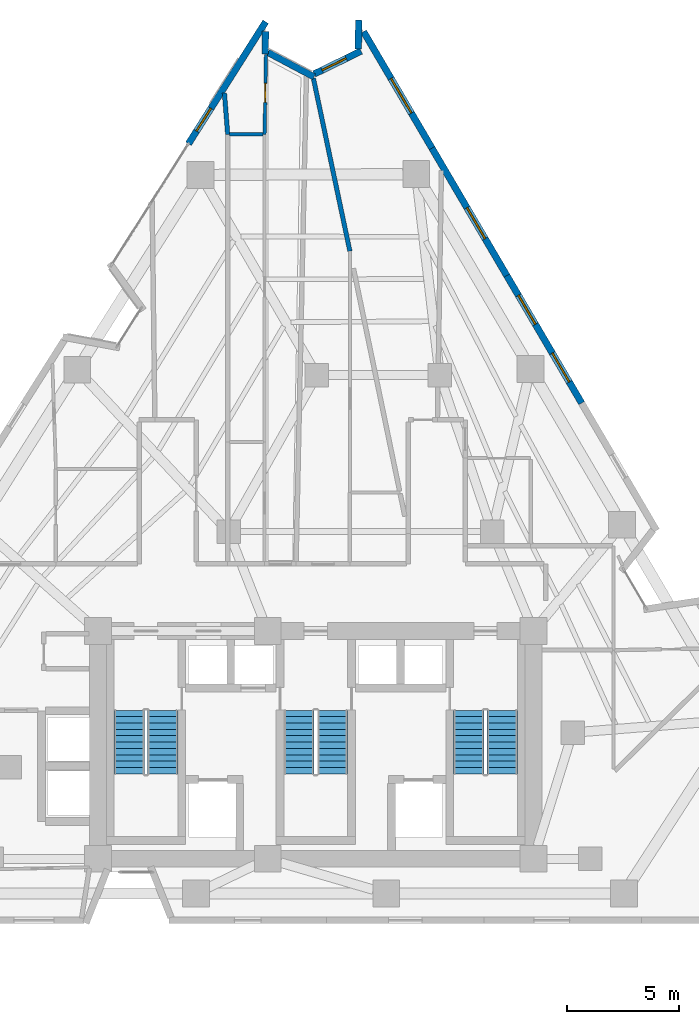
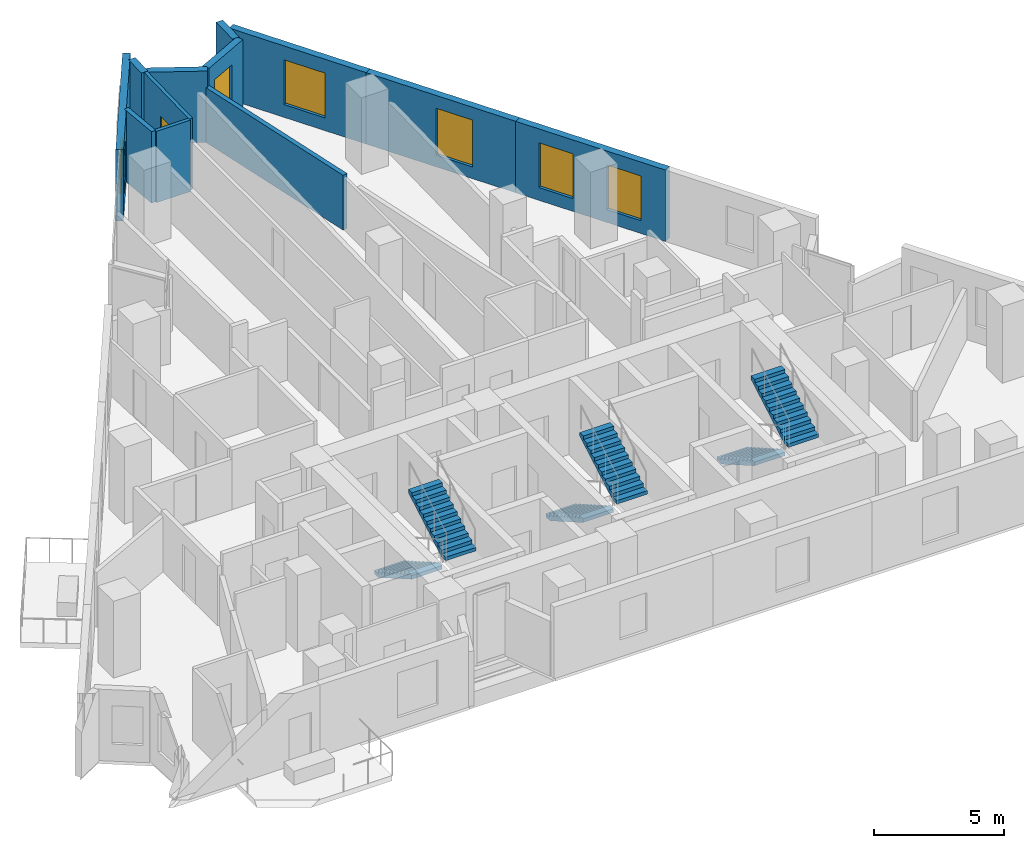
# One storey, part 10 of 12: 12 walls, 6 stair flights, 6 windows, 1 door, 7 openings, 3 elements without a shape of their own.
"""IFC4 building model written with IfcOpenShell, lengths in metres."""

from ifc_helpers import new_model, si_unit, direction, frame, frame_2d, origin, place, context, subcontext, project, spatial, polyline, rectangle, outline, extrude, material, layer, layer_set, type_object, element, fill, aggregate, save


model = new_model("IFC4")

# Units and contexts
model_context = context("Model", 3, precision=1e-05, world=origin(), true_north=direction((0.0, 1.0)))
body_context = subcontext(model_context, "Body", "Model", "MODEL_VIEW")
ifc_project = project(units=[si_unit("LENGTHUNIT", "METRE"), si_unit("AREAUNIT", "SQUARE_METRE"), si_unit("VOLUMEUNIT", "CUBIC_METRE"), si_unit("PLANEANGLEUNIT", "RADIAN"), si_unit("MASSUNIT", "GRAM", prefix="KILO")], contexts=[model_context])

# Site, building, storey
site_placement = place(None, origin())
site = spatial("IfcSite", under=ifc_project, at=site_placement, CompositionType="ELEMENT")
building_placement = place(site_placement, origin())
building = spatial("IfcBuilding", under=site, at=building_placement, Name="Almagre Mirador Tower", CompositionType="ELEMENT")
storey_placement = place(building_placement, frame((0.0, 0.0, 121.199951171875)))
storey = spatial("IfcBuildingStorey", under=building, at=storey_placement, Name="L30", CompositionType="ELEMENT", Elevation=121.199951171875)

# Wall, opening, window
ifc_material_1 = material(Name="Precast concrete C50/60", Category="concrete")
ifc_layer_1 = layer(ifc_material_1, 0.300048828125)
ifc_layer_set_1 = layer_set([ifc_layer_1], Name="Precast concrete C50/60")
wall_type_1 = type_object("IfcWallType", Name="WAL-EXT-300", PredefinedType="SOLIDWALL", material=ifc_layer_set_1)
wall_1_placement = place(storey_placement, frame((31.6044921875, 36.56005859375, 0.0), z_axis=(0.0, 0.0, 1.0), x_axis=(0.53489387979, 0.844919249019, 0.0)))
wall_1 = element("IfcWall", 1, at=wall_1_placement, inside=storey, type_object=wall_type_1, Name="L30 expressed almagre precast frame wall 03", PredefinedType="SOLIDWALL", context=body_context, shape_type="SweptSolid", body=[
    extrude(rectangle(XDim=6.462158203125, YDim=0.300048828125, at=frame_2d((3.23095703125, 0.0))), origin(), (0.0, 0.0, 1.0), 3.35009765625),
])
opening_1_placement = place(wall_1_placement, frame((0.675048828125, 0.0, 0.800048828125)))
opening_1 = element("IfcOpeningElement", 2, at=opening_1_placement, cuts=wall_1, Name="Opening WN-04", PredefinedType="OPENING", context=body_context, shape_type="SweptSolid", body=[
    extrude(rectangle(XDim=1.199951171875, YDim=1.800048828125, at=frame_2d((0.60009765625, 0.89990234375))), frame((0.0, 0.159902, 0.0), z_axis=(0.0, -1.0, 0.0), x_axis=(1.0, 0.0, 0.0)), (0.0, 0.0, 1.0), 0.320049),
])
ifc_material_2 = material(Name="Dark solar-control laminated hurricane glass", Category="glass")
window_type_1 = type_object("IfcWindowType", Name="WIN-1200X1800", PartitioningType="SINGLE_PANEL", PredefinedType="WINDOW", material=ifc_material_2)
window_1_placement = place(opening_1_placement, origin())
window_1 = element("IfcWindow", 3, at=window_1_placement, inside=storey, type_object=window_type_1, Name="L30 recessed hurricane window L30-RST-J", OverallHeight=1.800048828125, OverallWidth=1.199951171875, PartitioningType="SINGLE_PANEL", PredefinedType="WINDOW", context=body_context, shape_type="SweptSolid", body=[
    extrude(rectangle(XDim=1.199951171875, YDim=1.800048828125, at=frame_2d((0.60009765625, 0.89990234375))), frame((0.0, 0.030029296875, 0.0), z_axis=(0.0, -1.0, 0.0), x_axis=(1.0, 0.0, 0.0)), (0.0, 0.0, 1.0), 0.06005859375),
])
fill(opening_1, window_1)

# Walls
wall_2_placement = place(storey_placement, frame((35.0537109375, 41.59521484375, 0.0), z_axis=(0.0, 0.0, 1.0), x_axis=(-0.016748069368, -0.99985974125, 0.0)))
element("IfcWall", 4, at=wall_2_placement, inside=storey, type_object=wall_type_1, Name="L30 expressed almagre precast frame wall 04", PredefinedType="SOLIDWALL", context=body_context, shape_type="SweptSolid", body=[
    extrude(rectangle(XDim=1.0205078125, YDim=0.300048828125, at=frame_2d((0.51025390625, 0.0))), origin(), (0.0, 0.0, 1.0), 3.35009765625),
])
wall_3_placement = place(storey_placement, frame((35.16259765625, 40.6494140625, 0.0), z_axis=(0.0, 0.0, 1.0), x_axis=(0.883579385988, -0.468281399008, 0.0)))
element("IfcWall", 5, at=wall_3_placement, inside=storey, type_object=wall_type_1, Name="L30 expressed almagre precast frame wall 05", PredefinedType="SOLIDWALL", context=body_context, shape_type="SweptSolid", body=[
    extrude(rectangle(XDim=2.336181640625, YDim=0.300048828125, at=frame_2d((1.16796875, 0.0))), origin(), (0.0, 0.0, 1.0), 3.35009765625),
])

# Wall, opening, window
wall_4_placement = place(storey_placement, frame((37.235107421875, 39.685546875, 0.0), z_axis=(0.0, 0.0, 1.0), x_axis=(0.898742269497, 0.438477289058, 0.0)))
wall_4 = element("IfcWall", 6, at=wall_4_placement, inside=storey, type_object=wall_type_1, Name="L30 expressed almagre precast frame wall 06", PredefinedType="SOLIDWALL", context=body_context, shape_type="SweptSolid", body=[
    extrude(rectangle(XDim=2.330810546875, YDim=0.300048828125, at=frame_2d((1.16552734375, 0.0))), origin(), (0.0, 0.0, 1.0), 3.35009765625),
])
opening_2_placement = place(wall_4_placement, frame((0.387939453125, 0.0, 0.800048828125)))
opening_2 = element("IfcOpeningElement", 7, at=opening_2_placement, cuts=wall_4, Name="Opening WN-04", PredefinedType="OPENING", context=body_context, shape_type="SweptSolid", body=[
    extrude(rectangle(XDim=1.199951171875, YDim=1.800048828125, at=frame_2d((0.60009765625, 0.89990234375))), frame((0.0, 0.159902, 0.0), z_axis=(0.0, -1.0, 0.0), x_axis=(1.0, 0.0, 0.0)), (0.0, 0.0, 1.0), 0.320049),
])
window_2_placement = place(opening_2_placement, origin())
window_2 = element("IfcWindow", 8, at=window_2_placement, inside=storey, type_object=window_type_1, Name="L30 recessed hurricane window L30-RST-L", OverallHeight=1.800048828125, OverallWidth=1.199951171875, PartitioningType="SINGLE_PANEL", PredefinedType="WINDOW", context=body_context, shape_type="SweptSolid", body=[
    extrude(rectangle(XDim=1.199951171875, YDim=1.800048828125, at=frame_2d((0.60009765625, 0.89990234375))), frame((0.0, 0.030029296875, 0.0), z_axis=(0.0, -1.0, 0.0), x_axis=(1.0, 0.0, 0.0)), (0.0, 0.0, 1.0), 0.06005859375),
])
fill(opening_2, window_2)

# Wall
wall_5_placement = place(storey_placement, frame((39.206298828125, 40.7958984375, 0.0), z_axis=(0.0, 0.0, 1.0), x_axis=(0.016208991858, 0.999868625662, 0.0)))
element("IfcWall", 9, at=wall_5_placement, inside=storey, type_object=wall_type_1, Name="L30 expressed almagre precast frame wall 07", PredefinedType="SOLIDWALL", context=body_context, shape_type="SweptSolid", body=[
    extrude(rectangle(XDim=1.29541015625, YDim=0.300048828125, at=frame_2d((0.647705078125, 0.0))), origin(), (0.0, 0.0, 1.0), 3.35009765625),
])

# Wall, opening, window
wall_6_placement = place(storey_placement, frame((39.442626953125, 41.580078125, 0.0), z_axis=(0.0, 0.0, 1.0), x_axis=(0.506351339064, -0.862327270489, 0.0)))
wall_6 = element("IfcWall", 10, at=wall_6_placement, inside=storey, type_object=wall_type_1, Name="L30 expressed almagre precast frame wall 08", PredefinedType="SOLIDWALL", context=body_context, shape_type="SweptSolid", body=[
    extrude(rectangle(XDim=6.047607421875, YDim=0.300048828125, at=frame_2d((3.02392578125, 0.0))), origin(), (0.0, 0.0, 1.0), 3.35009765625),
])
opening_3_placement = place(wall_6_placement, frame((2.429931640625, 0.0, 0.60009765625)))
opening_3 = element("IfcOpeningElement", 11, at=opening_3_placement, cuts=wall_6, Name="Opening WN-01", PredefinedType="OPENING", context=body_context, shape_type="SweptSolid", body=[
    extrude(rectangle(XDim=1.800048828125, YDim=2.10009765625, at=frame_2d((0.89990234375, 1.050048828125))), frame((0.0, 0.159902, 0.0), z_axis=(0.0, -1.0, 0.0), x_axis=(1.0, 0.0, 0.0)), (0.0, 0.0, 1.0), 0.320049),
])
ifc_material_3 = material(Name="Dark solar-control laminated hurricane glass", Category="glass")
window_type_2 = type_object("IfcWindowType", Name="WIN-1800X2100", PartitioningType="DOUBLE_PANEL_VERTICAL", PredefinedType="WINDOW", material=ifc_material_3)
window_3_placement = place(opening_3_placement, origin())
window_3 = element("IfcWindow", 12, at=window_3_placement, inside=storey, type_object=window_type_2, Name="L30 recessed hurricane window L30-RST-L", OverallHeight=2.10009765625, OverallWidth=1.800048828125, PartitioningType="SINGLE_PANEL", PredefinedType="WINDOW", context=body_context, shape_type="SweptSolid", body=[
    extrude(rectangle(XDim=1.800048828125, YDim=2.10009765625, at=frame_2d((0.89990234375, 1.050048828125))), frame((0.0, 0.030029296875, 0.0), z_axis=(0.0, -1.0, 0.0), x_axis=(1.0, 0.0, 0.0)), (0.0, 0.0, 1.0), 0.06005859375),
])
fill(opening_3, window_3)

wall_7_placement = place(storey_placement, frame((42.5048828125, 36.364990234375, 0.0), z_axis=(0.0, 0.0, 1.0), x_axis=(0.506323446146, -0.862343648369, 0.0)))
wall_7 = element("IfcWall", 13, at=wall_7_placement, inside=storey, type_object=wall_type_1, Name="L30 expressed almagre precast frame wall 09", PredefinedType="SOLIDWALL", context=body_context, shape_type="SweptSolid", body=[
    extrude(rectangle(XDim=6.617431640625, YDim=0.300048828125, at=frame_2d((3.30859375, 0.0))), origin(), (0.0, 0.0, 1.0), 3.35009765625),
])
opening_4_placement = place(wall_7_placement, frame((3.10009765625, 0.0, 0.550048828125)))
opening_4 = element("IfcOpeningElement", 14, at=opening_4_placement, cuts=wall_7, Name="Opening WN-06", PredefinedType="OPENING", context=body_context, shape_type="SweptSolid", body=[
    extrude(rectangle(XDim=1.60009765625, YDim=2.199951171875, at=frame_2d((0.800048828125, 1.10009765625))), frame((0.0, 0.159902, 0.0), z_axis=(0.0, -1.0, 0.0), x_axis=(1.0, 0.0, 0.0)), (0.0, 0.0, 1.0), 0.320049),
])
ifc_material_4 = material(Name="Dark solar-control laminated hurricane glass", Category="glass")
window_type_3 = type_object("IfcWindowType", Name="WIN-1600X2200", PartitioningType="DOUBLE_PANEL_VERTICAL", PredefinedType="WINDOW", material=ifc_material_4)
window_4_placement = place(opening_4_placement, origin())
window_4 = element("IfcWindow", 15, at=window_4_placement, inside=storey, type_object=window_type_3, Name="L30 recessed hurricane window L30-UH-ST", OverallHeight=2.199951171875, OverallWidth=1.60009765625, PartitioningType="SINGLE_PANEL", PredefinedType="WINDOW", context=body_context, shape_type="SweptSolid", body=[
    extrude(rectangle(XDim=1.60009765625, YDim=2.199951171875, at=frame_2d((0.800048828125, 1.10009765625))), frame((0.0, 0.030029296875, 0.0), z_axis=(0.0, -1.0, 0.0), x_axis=(1.0, 0.0, 0.0)), (0.0, 0.0, 1.0), 0.06005859375),
])
fill(opening_4, window_4)

# Wall, openings, windows
wall_8_placement = place(storey_placement, frame((45.85546875, 30.658447265625, 0.0), z_axis=(0.0, 0.0, 1.0), x_axis=(0.506350880573, -0.86232753971, 0.0)))
wall_8 = element("IfcWall", 16, at=wall_8_placement, inside=storey, type_object=wall_type_1, Name="L30 expressed almagre precast frame wall 10", PredefinedType="SOLIDWALL", context=body_context, shape_type="SweptSolid", body=[
    extrude(rectangle(XDim=6.61767578125, YDim=0.300048828125, at=frame_2d((3.308837890625, 0.0))), origin(), (0.0, 0.0, 1.0), 3.35009765625),
])
opening_5_placement = place(wall_8_placement, frame((1.02490234375, 0.0, 0.60009765625)))
opening_5 = element("IfcOpeningElement", 17, at=opening_5_placement, cuts=wall_8, Name="Opening WN-03", PredefinedType="OPENING", context=body_context, shape_type="SweptSolid", body=[
    extrude(rectangle(XDim=1.5, YDim=2.10009765625, at=frame_2d((0.75, 1.050048828125))), frame((0.0, 0.159902, 0.0), z_axis=(0.0, -1.0, 0.0), x_axis=(1.0, 0.0, 0.0)), (0.0, 0.0, 1.0), 0.320049),
])
opening_6_placement = place(wall_8_placement, frame((4.02490234375, 0.0, 0.60009765625)))
opening_6 = element("IfcOpeningElement", 18, at=opening_6_placement, cuts=wall_8, Name="Opening WN-03", PredefinedType="OPENING", context=body_context, shape_type="SweptSolid", body=[
    extrude(rectangle(XDim=1.5, YDim=2.10009765625, at=frame_2d((0.75, 1.050048828125))), frame((0.0, 0.159902, 0.0), z_axis=(0.0, -1.0, 0.0), x_axis=(1.0, 0.0, 0.0)), (0.0, 0.0, 1.0), 0.320049),
])
ifc_material_5 = material(Name="Dark solar-control laminated hurricane glass", Category="glass")
window_type_4 = type_object("IfcWindowType", Name="WIN-1500X2100", PartitioningType="DOUBLE_PANEL_VERTICAL", PredefinedType="WINDOW", material=ifc_material_5)
window_5_placement = place(opening_5_placement, origin())
window_5 = element("IfcWindow", 19, at=window_5_placement, inside=storey, type_object=window_type_4, Name="L30 recessed hurricane window L30-UH-ST", OverallHeight=2.10009765625, OverallWidth=1.5, PartitioningType="SINGLE_PANEL", PredefinedType="WINDOW", context=body_context, shape_type="SweptSolid", body=[
    extrude(rectangle(XDim=1.5, YDim=2.10009765625, at=frame_2d((0.75, 1.050048828125))), frame((0.0, 0.030029296875, 0.0), z_axis=(0.0, -1.0, 0.0), x_axis=(1.0, 0.0, 0.0)), (0.0, 0.0, 1.0), 0.06005859375),
])
fill(opening_5, window_5)
window_6_placement = place(opening_6_placement, origin())
window_6 = element("IfcWindow", 20, at=window_6_placement, inside=storey, type_object=window_type_4, Name="L30 recessed hurricane window L30-UH-KT", OverallHeight=2.10009765625, OverallWidth=1.5, PartitioningType="SINGLE_PANEL", PredefinedType="WINDOW", context=body_context, shape_type="SweptSolid", body=[
    extrude(rectangle(XDim=1.5, YDim=2.10009765625, at=frame_2d((0.75, 1.050048828125))), frame((0.0, 0.030029296875, 0.0), z_axis=(0.0, -1.0, 0.0), x_axis=(1.0, 0.0, 0.0)), (0.0, 0.0, 1.0), 0.06005859375),
])
fill(opening_6, window_6)

# Wall, opening, door
ifc_material_6 = material(Name="Gypsum acoustic stud partition", Category="other")
ifc_layer_2 = layer(ifc_material_6, 0.14990234375)
ifc_layer_set_2 = layer_set([ifc_layer_2], Name="Gypsum acoustic stud partition")
wall_type_2 = type_object("IfcWallType", Name="WAL-PRT-150-STD", PredefinedType="PARTITIONING", material=ifc_layer_set_2)
wall_9_placement = place(storey_placement, frame((35.073486328125, 40.560302734375, 0.0), z_axis=(0.0, 0.0, 1.0), x_axis=(-0.017726501673, -0.999842873225, 0.0)))
wall_9 = element("IfcWall", 21, at=wall_9_placement, inside=storey, type_object=wall_type_2, Name="L30 interior partition 071", PredefinedType="PARTITIONING", context=body_context, shape_type="SweptSolid", body=[
    extrude(rectangle(XDim=3.580810546875, YDim=0.14990234375, at=frame_2d((1.79052734375, 0.0))), origin(), (0.0, 0.0, 1.0), 3.35009765625),
])
opening_7_placement = place(wall_9_placement, frame((1.298095703125, 0.0, 0.0)))
opening_7 = element("IfcOpeningElement", 22, at=opening_7_placement, cuts=wall_9, Name="Opening UD-04", PredefinedType="OPENING", context=body_context, shape_type="SweptSolid", body=[
    extrude(rectangle(XDim=0.85009765625, YDim=2.10009765625, at=frame_2d((0.425048828125, 1.050048828125))), frame((0.0, 0.084951, 0.0), z_axis=(0.0, -1.0, 0.0), x_axis=(1.0, 0.0, 0.0)), (0.0, 0.0, 1.0), 0.169902),
])
ifc_material_7 = material(Name="Moisture-resistant oak timber", Category="wood")
door_type = type_object("IfcDoorType", Name="DOR-UNR-850X2100", OperationType="NOTDEFINED", PredefinedType="DOOR", material=ifc_material_7)
door_placement = place(opening_7_placement, origin())
door = element("IfcDoor", 23, at=door_placement, inside=storey, type_object=door_type, Name="DR-1005 L30 interior door L30-UK-LV to L30-UK-HB", OperationType="SINGLE_SWING_LEFT", OverallHeight=2.10009765625, OverallWidth=0.85009765625, PredefinedType="DOOR", context=body_context, shape_type="SweptSolid", body=[
    extrude(rectangle(XDim=0.85009765625, YDim=2.10009765625, at=frame_2d((0.425048828125, 1.050048828125))), frame((0.0, 0.02490234375, 0.0), z_axis=(0.0, -1.0, 0.0), x_axis=(1.0, 0.0, 0.0)), (0.0, 0.0, 1.0), 0.050048828125),
])
fill(opening_7, door)

# Walls
wall_10_placement = place(storey_placement, frame((33.445068359375, 36.97998046875, 0.0), z_axis=(0.0, 0.0, 1.0), x_axis=(1.0, 0.0, 0.0)))
element("IfcWall", 24, at=wall_10_placement, inside=storey, type_object=wall_type_2, Name="L30 interior partition 074", PredefinedType="PARTITIONING", context=body_context, shape_type="SweptSolid", body=[
    extrude(rectangle(XDim=1.5048828125, YDim=0.14990234375, at=frame_2d((0.75244140625, 0.0))), origin(), (0.0, 0.0, 1.0), 3.35009765625),
])
ifc_material_8 = material(Name="Gypsum acoustic stud partition", Category="other")
ifc_layer_3 = layer(ifc_material_8, 0.199951171875)
ifc_layer_set_3 = layer_set([ifc_layer_3], Name="Gypsum acoustic stud partition")
wall_type_3 = type_object("IfcWallType", Name="WAL-PRT-200-EI60", PredefinedType="PARTITIONING", material=ifc_layer_set_3)
wall_11_placement = place(storey_placement, frame((38.830078125, 31.75, 0.0), z_axis=(0.0, 0.0, 1.0), x_axis=(-0.206462862954, 0.978454437478, 0.0)))
element("IfcWall", 25, at=wall_11_placement, inside=storey, type_object=wall_type_3, Name="L30 interior partition 060", PredefinedType="PARTITIONING", context=body_context, shape_type="SweptSolid", body=[
    extrude(rectangle(XDim=7.914306640625, YDim=0.199951171875, at=frame_2d((3.95703125, 0.0))), origin(), (0.0, 0.0, 1.0), 2.570068359375),
])
wall_12_placement = place(storey_placement, frame((33.360107421875, 36.97998046875, 0.0), z_axis=(0.0, 0.0, 1.0), x_axis=(-0.07862683496, 0.99690411817, 0.0)))
element("IfcWall", 26, at=wall_12_placement, inside=storey, type_object=wall_type_3, Name="L30 interior partition 068", PredefinedType="PARTITIONING", context=body_context, shape_type="SweptSolid", body=[
    extrude(rectangle(XDim=1.85693359375, YDim=0.199951171875, at=frame_2d((0.928466796875, 0.0))), origin(), (0.0, 0.0, 1.0), 3.35009765625),
])

# Stair, stair flights
ifc_material_9 = material(Name="Concrete C45/55", Category="concrete")
stair_type = type_object("IfcStairType", Name="STR-DL-3600", PredefinedType="HALF_TURN_STAIR", material=ifc_material_9)
stair_1_placement = place(storey_placement, origin())
stair_1 = element("IfcStair", 27, at=stair_1_placement, inside=storey, type_object=stair_type, Name="L30 Protected exit stair ST-1", PredefinedType="HALF_TURN_STAIR")
ifc_material_10 = material(Name="Concrete C45/55", Category="concrete")
stair_flight_type = type_object("IfcStairFlightType", Name="FLT-DL-3600", PredefinedType="STRAIGHT", material=ifc_material_10)
stair_flight_1_placement = place(storey_placement, frame((28.949951171875, 11.199951171875, 0.0), z_axis=(0.0, 0.0, 1.0), x_axis=(0.0, -1.0, 0.0)))
stair_flight_1 = element("IfcStairFlight", 28, at=stair_flight_1_placement, type_object=stair_flight_type, Name="ST-1 flight 1", NumberOfRisers=11, NumberOfTreads=10, PredefinedType="STRAIGHT", RiserHeight=0.163636364, TreadLength=0.285, context=body_context, shape_type="SweptSolid", body=[
    extrude(outline(polyline([(0.0, 0.0), (0.0, 0.16357421875), (0.284912109375, 0.16357421875), (0.284912109375, 0.327392578125), (0.570068359375, 0.327392578125), (0.570068359375, 0.490966796875), (0.85498046875, 0.490966796875), (0.85498046875, 0.654541015625), (1.139892578125, 0.654541015625), (1.139892578125, 0.818115234375), (1.425048828125, 0.818115234375), (1.425048828125, 0.98193359375), (1.7099609375, 0.98193359375), (1.7099609375, 1.1455078125), (1.9951171875, 1.1455078125), (1.9951171875, 1.30908203125), (2.280029296875, 1.30908203125), (2.280029296875, 1.47265625), (2.56494140625, 1.47265625), (2.56494140625, 1.636474609375), (2.85009765625, 1.636474609375), (2.85009765625, 1.800048828125), (2.85009765625, 1.463623046875), (0.301025390625, 0.0), (0.0, 0.0)])), frame((0.0, 0.675048828125, 0.0), z_axis=(0.0, -1.0, 0.0), x_axis=(1.0, 0.0, 0.0)), (0.0, 0.0, 1.0), 1.35009765625),
])
stair_flight_2_placement = place(storey_placement, frame((30.449951171875, 8.35009765625, 1.800048828125), z_axis=(0.0, 0.0, 1.0), x_axis=(0.0, 1.0, 0.0)))
stair_flight_2 = element("IfcStairFlight", 29, at=stair_flight_2_placement, type_object=stair_flight_type, Name="ST-1 flight 2", NumberOfRisers=11, NumberOfTreads=10, PredefinedType="STRAIGHT", RiserHeight=0.163636364, TreadLength=0.285, context=body_context, shape_type="SweptSolid", body=[
    extrude(outline(polyline([(0.0, 0.0), (0.0, 0.16357421875), (0.284912109375, 0.16357421875), (0.284912109375, 0.327392578125), (0.570068359375, 0.327392578125), (0.570068359375, 0.490966796875), (0.85498046875, 0.490966796875), (0.85498046875, 0.654541015625), (1.139892578125, 0.654541015625), (1.139892578125, 0.818115234375), (1.425048828125, 0.818115234375), (1.425048828125, 0.98193359375), (1.7099609375, 0.98193359375), (1.7099609375, 1.1455078125), (1.9951171875, 1.1455078125), (1.9951171875, 1.30908203125), (2.280029296875, 1.30908203125), (2.280029296875, 1.47265625), (2.56494140625, 1.47265625), (2.56494140625, 1.636474609375), (2.85009765625, 1.636474609375), (2.85009765625, 1.800048828125), (2.85009765625, 1.463623046875), (0.301025390625, 0.0), (0.0, 0.0)])), frame((0.0, 0.675048828125, 0.0), z_axis=(0.0, -1.0, 0.0), x_axis=(1.0, 0.0, 0.0)), (0.0, 0.0, 1.0), 1.35009765625),
])
aggregate(stair_1, [stair_flight_1, stair_flight_2])

stair_2_placement = place(storey_placement, origin())
stair_2 = element("IfcStair", 30, at=stair_2_placement, inside=storey, type_object=stair_type, Name="L30 Protected exit stair ST-2", PredefinedType="HALF_TURN_STAIR")
stair_flight_3_placement = place(storey_placement, frame((36.550048828125, 11.199951171875, 0.0), z_axis=(0.0, 0.0, 1.0), x_axis=(0.0, -1.0, 0.0)))
stair_flight_3 = element("IfcStairFlight", 31, at=stair_flight_3_placement, type_object=stair_flight_type, Name="ST-2 flight 1", NumberOfRisers=11, NumberOfTreads=10, PredefinedType="STRAIGHT", RiserHeight=0.163636364, TreadLength=0.285, context=body_context, shape_type="SweptSolid", body=[
    extrude(outline(polyline([(0.0, 0.0), (0.0, 0.16357421875), (0.284912109375, 0.16357421875), (0.284912109375, 0.327392578125), (0.570068359375, 0.327392578125), (0.570068359375, 0.490966796875), (0.85498046875, 0.490966796875), (0.85498046875, 0.654541015625), (1.139892578125, 0.654541015625), (1.139892578125, 0.818115234375), (1.425048828125, 0.818115234375), (1.425048828125, 0.98193359375), (1.7099609375, 0.98193359375), (1.7099609375, 1.1455078125), (1.9951171875, 1.1455078125), (1.9951171875, 1.30908203125), (2.280029296875, 1.30908203125), (2.280029296875, 1.47265625), (2.56494140625, 1.47265625), (2.56494140625, 1.636474609375), (2.85009765625, 1.636474609375), (2.85009765625, 1.800048828125), (2.85009765625, 1.463623046875), (0.301025390625, 0.0), (0.0, 0.0)])), frame((0.0, 0.675048828125, 0.0), z_axis=(0.0, -1.0, 0.0), x_axis=(1.0, 0.0, 0.0)), (0.0, 0.0, 1.0), 1.35009765625),
])
stair_flight_4_placement = place(storey_placement, frame((38.050048828125, 8.35009765625, 1.800048828125), z_axis=(0.0, 0.0, 1.0), x_axis=(0.0, 1.0, 0.0)))
stair_flight_4 = element("IfcStairFlight", 32, at=stair_flight_4_placement, type_object=stair_flight_type, Name="ST-2 flight 2", NumberOfRisers=11, NumberOfTreads=10, PredefinedType="STRAIGHT", RiserHeight=0.163636364, TreadLength=0.285, context=body_context, shape_type="SweptSolid", body=[
    extrude(outline(polyline([(0.0, 0.0), (0.0, 0.16357421875), (0.284912109375, 0.16357421875), (0.284912109375, 0.327392578125), (0.570068359375, 0.327392578125), (0.570068359375, 0.490966796875), (0.85498046875, 0.490966796875), (0.85498046875, 0.654541015625), (1.139892578125, 0.654541015625), (1.139892578125, 0.818115234375), (1.425048828125, 0.818115234375), (1.425048828125, 0.98193359375), (1.7099609375, 0.98193359375), (1.7099609375, 1.1455078125), (1.9951171875, 1.1455078125), (1.9951171875, 1.30908203125), (2.280029296875, 1.30908203125), (2.280029296875, 1.47265625), (2.56494140625, 1.47265625), (2.56494140625, 1.636474609375), (2.85009765625, 1.636474609375), (2.85009765625, 1.800048828125), (2.85009765625, 1.463623046875), (0.301025390625, 0.0), (0.0, 0.0)])), frame((0.0, 0.675048828125, 0.0), z_axis=(0.0, -1.0, 0.0), x_axis=(1.0, 0.0, 0.0)), (0.0, 0.0, 1.0), 1.35009765625),
])
aggregate(stair_2, [stair_flight_3, stair_flight_4])

stair_3_placement = place(storey_placement, origin())
stair_3 = element("IfcStair", 33, at=stair_3_placement, inside=storey, type_object=stair_type, Name="L30 Protected exit stair ST-3", PredefinedType="HALF_TURN_STAIR")
stair_flight_5_placement = place(storey_placement, frame((44.14990234375, 11.199951171875, 0.0), z_axis=(0.0, 0.0, 1.0), x_axis=(0.0, -1.0, 0.0)))
stair_flight_5 = element("IfcStairFlight", 34, at=stair_flight_5_placement, type_object=stair_flight_type, Name="ST-3 flight 1", NumberOfRisers=11, NumberOfTreads=10, PredefinedType="STRAIGHT", RiserHeight=0.163636364, TreadLength=0.285, context=body_context, shape_type="SweptSolid", body=[
    extrude(outline(polyline([(0.0, 0.0), (0.0, 0.16357421875), (0.284912109375, 0.16357421875), (0.284912109375, 0.327392578125), (0.570068359375, 0.327392578125), (0.570068359375, 0.490966796875), (0.85498046875, 0.490966796875), (0.85498046875, 0.654541015625), (1.139892578125, 0.654541015625), (1.139892578125, 0.818115234375), (1.425048828125, 0.818115234375), (1.425048828125, 0.98193359375), (1.7099609375, 0.98193359375), (1.7099609375, 1.1455078125), (1.9951171875, 1.1455078125), (1.9951171875, 1.30908203125), (2.280029296875, 1.30908203125), (2.280029296875, 1.47265625), (2.56494140625, 1.47265625), (2.56494140625, 1.636474609375), (2.85009765625, 1.636474609375), (2.85009765625, 1.800048828125), (2.85009765625, 1.463623046875), (0.301025390625, 0.0), (0.0, 0.0)])), frame((0.0, 0.675048828125, 0.0), z_axis=(0.0, -1.0, 0.0), x_axis=(1.0, 0.0, 0.0)), (0.0, 0.0, 1.0), 1.35009765625),
])
stair_flight_6_placement = place(storey_placement, frame((45.64990234375, 8.35009765625, 1.800048828125), z_axis=(0.0, 0.0, 1.0), x_axis=(0.0, 1.0, 0.0)))
stair_flight_6 = element("IfcStairFlight", 35, at=stair_flight_6_placement, type_object=stair_flight_type, Name="ST-3 flight 2", NumberOfRisers=11, NumberOfTreads=10, PredefinedType="STRAIGHT", RiserHeight=0.163636364, TreadLength=0.285, context=body_context, shape_type="SweptSolid", body=[
    extrude(outline(polyline([(0.0, 0.0), (0.0, 0.16357421875), (0.284912109375, 0.16357421875), (0.284912109375, 0.327392578125), (0.570068359375, 0.327392578125), (0.570068359375, 0.490966796875), (0.85498046875, 0.490966796875), (0.85498046875, 0.654541015625), (1.139892578125, 0.654541015625), (1.139892578125, 0.818115234375), (1.425048828125, 0.818115234375), (1.425048828125, 0.98193359375), (1.7099609375, 0.98193359375), (1.7099609375, 1.1455078125), (1.9951171875, 1.1455078125), (1.9951171875, 1.30908203125), (2.280029296875, 1.30908203125), (2.280029296875, 1.47265625), (2.56494140625, 1.47265625), (2.56494140625, 1.636474609375), (2.85009765625, 1.636474609375), (2.85009765625, 1.800048828125), (2.85009765625, 1.463623046875), (0.301025390625, 0.0), (0.0, 0.0)])), frame((0.0, 0.675048828125, 0.0), z_axis=(0.0, -1.0, 0.0), x_axis=(1.0, 0.0, 0.0)), (0.0, 0.0, 1.0), 1.35009765625),
])
aggregate(stair_3, [stair_flight_5, stair_flight_6])

save(model, "model.ifc")
